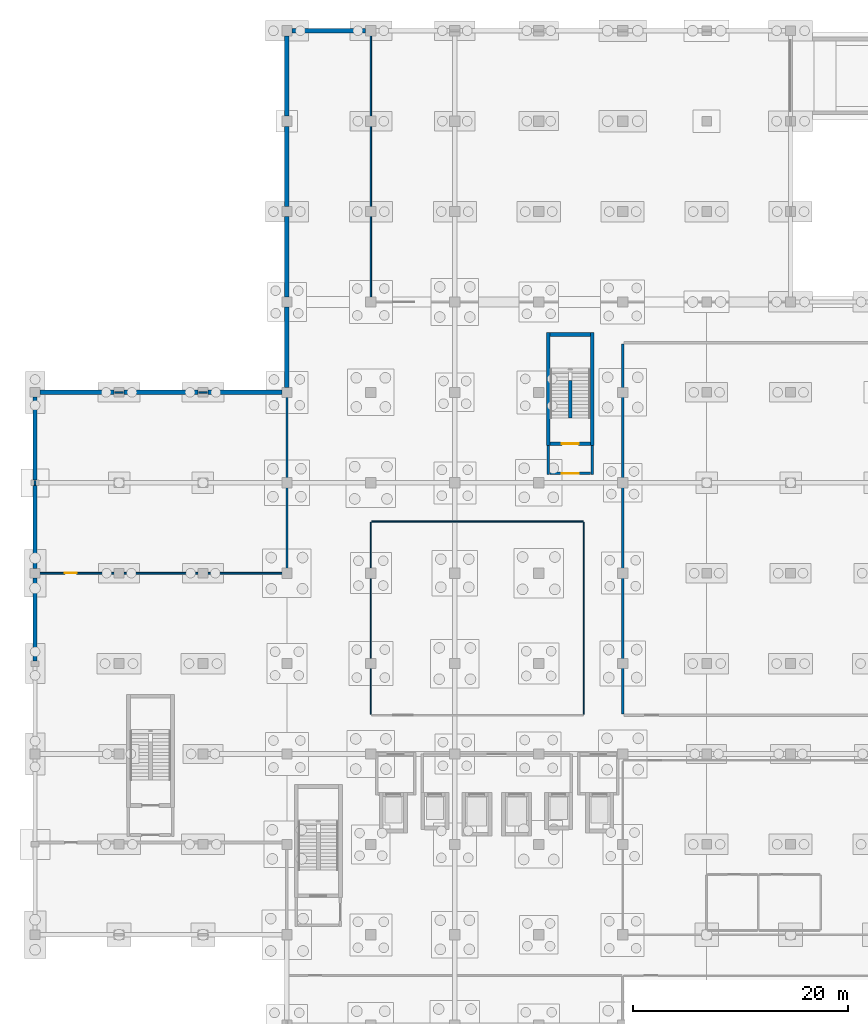
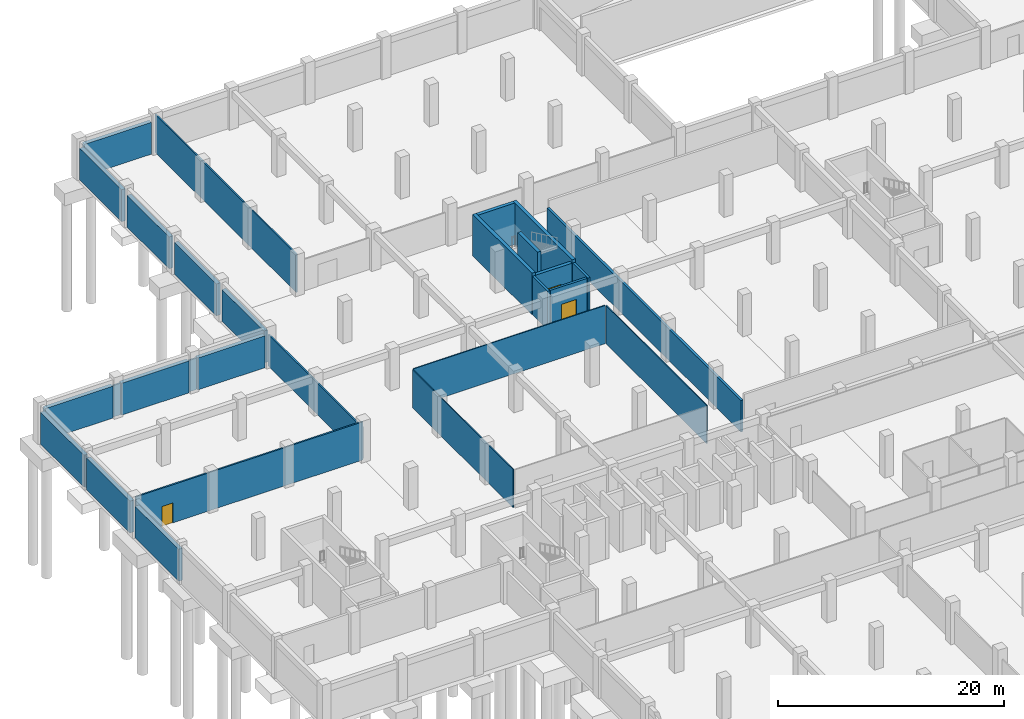
# One storey, part 18 of 30: 29 walls, 3 doors, 3 openings.
"""IFC4 building model written with IfcOpenShell, lengths in metres."""

from ifc_helpers import new_model, si_unit, direction, frame, frame_2d, origin, place, context, subcontext, project, spatial, rectangle, extrude, material, layer, layer_set, type_object, element, fill, save


model = new_model("IFC4")

# Units and contexts
model_context = context("Model", 3, precision=1e-05, world=origin(), true_north=direction((0.0, 1.0)))
body_context = subcontext(model_context, "Body", "Model", "MODEL_VIEW")
ifc_project = project(units=[si_unit("LENGTHUNIT", "METRE"), si_unit("AREAUNIT", "SQUARE_METRE"), si_unit("VOLUMEUNIT", "CUBIC_METRE"), si_unit("PLANEANGLEUNIT", "RADIAN"), si_unit("MASSUNIT", "GRAM", prefix="KILO"), si_unit("THERMODYNAMICTEMPERATUREUNIT", "KELVIN"), si_unit("POWERUNIT", "WATT")], contexts=[model_context])

# Site, building, storey
site_placement = place(None, origin())
site = spatial("IfcSite", under=ifc_project, at=site_placement, CompositionType="ELEMENT")
building_placement = place(site_placement, origin())
building = spatial("IfcBuilding", under=site, at=building_placement, Name="Srebrne Nadtorze General Hospital", CompositionType="ELEMENT")
storey_placement = place(building_placement, frame((0.0, 0.0, -4.5)))
storey = spatial("IfcBuildingStorey", under=building, at=storey_placement, Name="B1", CompositionType="ELEMENT", Elevation=-4.5)

# Walls
ifc_material_1 = material(Name="Concrete C35/45", Category="concrete")
ifc_layer_1 = layer(ifc_material_1, 0.39990234375)
ifc_layer_set_1 = layer_set([ifc_layer_1], Name="Concrete C35/45")
wall_type_1 = type_object("IfcWallType", Name="Basement retaining wall 400", PredefinedType="SOLIDWALL", material=ifc_layer_set_1)
wall_1_placement = place(storey_placement, frame((0.449951171875, 84.0, 0.0), z_axis=(0.0, 0.0, 1.0), x_axis=(1.0, 0.0, 0.0)))
element("IfcWall", 1, at=wall_1_placement, inside=storey, type_object=wall_type_1, Name="Exterior wall WL-ENV-B1-0026", PredefinedType="SOLIDWALL", context=body_context, shape_type="SweptSolid", body=[
    extrude(rectangle(XDim=6.900146484375, YDim=0.39990234375, at=frame_2d((3.4501953125, 0.0))), origin(), (0.0, 0.0, 1.0), 3.449951171875),
])
wall_2_placement = place(storey_placement, frame((8.25, 84.0, 0.0), z_axis=(0.0, 0.0, 1.0), x_axis=(1.0, 0.0, 0.0)))
element("IfcWall", 2, at=wall_2_placement, inside=storey, type_object=wall_type_1, Name="Exterior wall WL-ENV-B1-0027", PredefinedType="SOLIDWALL", context=body_context, shape_type="SweptSolid", body=[
    extrude(rectangle(XDim=6.89990234375, YDim=0.39990234375, at=frame_2d((3.449951171875, 0.0))), origin(), (0.0, 0.0, 1.0), 3.449951171875),
])
wall_3_placement = place(storey_placement, frame((16.050048828125, 84.0, 0.0), z_axis=(0.0, 0.0, 1.0), x_axis=(1.0, 0.0, 0.0)))
element("IfcWall", 3, at=wall_3_placement, inside=storey, type_object=wall_type_1, Name="Exterior wall WL-ENV-B1-0028", PredefinedType="SOLIDWALL", context=body_context, shape_type="SweptSolid", body=[
    extrude(rectangle(XDim=6.875, YDim=0.39990234375, at=frame_2d((3.4375, 0.0))), origin(), (0.0, 0.0, 1.0), 3.449951171875),
])
wall_4_placement = place(storey_placement, frame((23.875, 117.60009765625, 0.0), z_axis=(0.0, 0.0, 1.0), x_axis=(1.0, 0.0, 0.0)))
element("IfcWall", 4, at=wall_4_placement, inside=storey, type_object=wall_type_1, Name="Exterior wall WL-ENV-B1-0039", PredefinedType="SOLIDWALL", context=body_context, shape_type="SweptSolid", body=[
    extrude(rectangle(XDim=6.85009765625, YDim=0.39990234375, at=frame_2d((3.425048828125, 0.0))), origin(), (0.0, 0.0, 1.0), 3.449951171875),
])
wall_5_placement = place(storey_placement, frame((0.0, 59.050048828125, 0.0), z_axis=(0.0, 0.0, 1.0), x_axis=(0.0, 1.0, 0.0)))
element("IfcWall", 5, at=wall_5_placement, inside=storey, type_object=wall_type_1, Name="Exterior wall WL-ENV-B1-0048", PredefinedType="SOLIDWALL", context=body_context, shape_type="SweptSolid", body=[
    extrude(rectangle(XDim=7.699951171875, YDim=0.39990234375, at=frame_2d((3.85009765625, 0.0))), origin(), (0.0, 0.0, 1.0), 3.449951171875),
])
wall_6_placement = place(storey_placement, frame((0.0, 67.64990234375, 0.0), z_axis=(0.0, 0.0, 1.0), x_axis=(0.0, 1.0, 0.0)))
element("IfcWall", 6, at=wall_6_placement, inside=storey, type_object=wall_type_1, Name="Exterior wall WL-ENV-B1-0049", PredefinedType="SOLIDWALL", context=body_context, shape_type="SweptSolid", body=[
    extrude(rectangle(XDim=7.7001953125, YDim=0.39990234375, at=frame_2d((3.85009765625, 0.0))), origin(), (0.0, 0.0, 1.0), 3.449951171875),
])
wall_7_placement = place(storey_placement, frame((0.0, 75.85009765625, 0.0), z_axis=(0.0, 0.0, 1.0), x_axis=(0.0, 1.0, 0.0)))
element("IfcWall", 7, at=wall_7_placement, inside=storey, type_object=wall_type_1, Name="Exterior wall WL-ENV-B1-0050", PredefinedType="SOLIDWALL", context=body_context, shape_type="SweptSolid", body=[
    extrude(rectangle(XDim=7.699951171875, YDim=0.39990234375, at=frame_2d((3.85009765625, 0.0))), origin(), (0.0, 0.0, 1.0), 3.449951171875),
])
for number, where, z_axis, x_axis, name in (
    (8, (23.39990234375, 84.47509765625, 0.0), (0.0, 0.0, 1.0), (0.0, 1.0, 0.0), "Exterior wall WL-ENV-B1-0055"),
    (9, (23.39990234375, 92.875, 0.0), (0.0, 0.0, 1.0), (0.0, 1.0, 0.0), "Exterior wall WL-ENV-B1-0056"),
):
    element("IfcWall", number, at=place(storey_placement, frame(where, z_axis=z_axis, x_axis=x_axis)), inside=storey, type_object=wall_type_1, Name=name, PredefinedType="SOLIDWALL", context=body_context, shape_type="SweptSolid", body=[
        extrude(rectangle(XDim=7.449951171875, YDim=0.39990234375, at=frame_2d((3.72509765625, 0.0))), origin(), (0.0, 0.0, 1.0), 3.449951171875),
    ])
wall_8_placement = place(storey_placement, frame((23.39990234375, 101.27490234375, 0.0), z_axis=(0.0, 0.0, 1.0), x_axis=(0.0, 1.0, 0.0)))
element("IfcWall", 10, at=wall_8_placement, inside=storey, type_object=wall_type_1, Name="Exterior wall WL-ENV-B1-0057", PredefinedType="SOLIDWALL", context=body_context, shape_type="SweptSolid", body=[
    extrude(rectangle(XDim=7.4501953125, YDim=0.39990234375, at=frame_2d((3.72509765625, 0.0))), origin(), (0.0, 0.0, 1.0), 3.449951171875),
])
wall_9_placement = place(storey_placement, frame((23.39990234375, 109.675048828125, 0.0), z_axis=(0.0, 0.0, 1.0), x_axis=(0.0, 1.0, 0.0)))
element("IfcWall", 11, at=wall_9_placement, inside=storey, type_object=wall_type_1, Name="Exterior wall WL-ENV-B1-0058", PredefinedType="SOLIDWALL", context=body_context, shape_type="SweptSolid", body=[
    extrude(rectangle(XDim=7.449951171875, YDim=0.39990234375, at=frame_2d((3.72509765625, 0.0))), origin(), (0.0, 0.0, 1.0), 3.449951171875),
])
ifc_material_2 = material(Name="Gypsum Healthcare Partition")
ifc_layer_2 = layer(ifc_material_2, 0.139892578125)
ifc_layer_set_2 = layer_set([ifc_layer_2], Name="Gypsum Healthcare Partition")
wall_type_2 = type_object("IfcWallType", Name="Clinical partition 140", PredefinedType="PARTITIONING", material=ifc_layer_set_2)
wall_10_placement = place(storey_placement, frame((31.199951171875, 92.485107421875, 0.0), z_axis=(0.0, 0.0, 1.0), x_axis=(0.0, 1.0, 0.0)))
element("IfcWall", 12, at=wall_10_placement, inside=storey, type_object=wall_type_2, Name="Staff Underground Parking Garage wall WL-INT-B1-1201", PredefinedType="PARTITIONING", context=body_context, shape_type="SweptSolid", body=[
    extrude(rectangle(XDim=25.02978515625, YDim=0.139892578125, at=frame_2d((12.514892578125, 0.0))), origin(), (0.0, 0.0, 1.0), 4.1298828125),
])

# Wall, opening, door
ifc_material_3 = material(Name="Gypsum Healthcare Partition")
ifc_layer_3 = layer(ifc_material_3, 0.159912109375)
ifc_layer_set_3 = layer_set([ifc_layer_3], Name="Gypsum Healthcare Partition")
wall_type_3 = type_object("IfcWallType", Name="Clinical partition 160", PredefinedType="PARTITIONING", material=ifc_layer_set_3)
wall_11_placement = place(storey_placement, frame((0.0849609375, 67.199951171875, 0.0), z_axis=(0.0, 0.0, 1.0), x_axis=(1.0, 0.0, 0.0)))
wall_11 = element("IfcWall", 13, at=wall_11_placement, inside=storey, type_object=wall_type_3, Name="Medical Gas Bulk Cylinder Store wall WL-INT-B1-1221", PredefinedType="PARTITIONING", context=body_context, shape_type="SweptSolid", body=[
    extrude(rectangle(XDim=23.22998046875, YDim=0.159912109375, at=frame_2d((11.614990234375, 0.0))), origin(), (0.0, 0.0, 1.0), 4.1298828125),
])
opening_1_placement = place(wall_11_placement, frame((2.6943359375, 0.0, 0.0)))
opening_1 = element("IfcOpeningElement", 14, at=opening_1_placement, cuts=wall_11, Name="Opening D-B1-0171", PredefinedType="OPENING", context=body_context, shape_type="SweptSolid", body=[
    extrude(rectangle(XDim=1.080078125, YDim=2.14990234375, at=frame_2d((0.5400390625, 1.074951171875))), frame((0.0, 0.091796875, 0.0), z_axis=(0.0, -1.0, 0.0), x_axis=(1.0, 0.0, 0.0)), (0.0, 0.0, 1.0), 0.183837890625),
])
ifc_material_4 = material(Name="Anodised Aluminium", Category="aluminium")
door_type_1 = type_object("IfcDoorType", Name="Single leaf door 1080x2150", OperationType="NOTDEFINED", PredefinedType="DOOR", material=ifc_material_4)
door_1_placement = place(opening_1_placement, origin())
door_1 = element("IfcDoor", 15, at=door_1_placement, inside=storey, type_object=door_type_1, Name="Medical Gas Bulk Cylinder Store door D-B1-0171", OperationType="SINGLE_SWING_LEFT", OverallHeight=2.14990234375, OverallWidth=1.080078125, PredefinedType="DOOR", context=body_context, shape_type="SweptSolid", body=[
    extrude(rectangle(XDim=1.080078125, YDim=2.14990234375, at=frame_2d((0.5400390625, 1.074951171875))), frame((0.0, 0.02490234375, 0.0), z_axis=(0.0, -1.0, 0.0), x_axis=(1.0, 0.0, 0.0)), (0.0, 0.0, 1.0), 0.050048828125),
])
fill(opening_1, door_1)

# Walls
for number, where, z_axis, x_axis, name in (
    (16, (7.389892578125, 84.0, 0.0), (0.0, 0.0, 1.0), (1.0, 0.0, 0.0), "Medical Gas Bulk Cylinder Store wall WL-INT-B1-1222"),
    (17, (15.18994140625, 84.0, 0.0), (0.0, 0.0, 1.0), (1.0, 0.0, 0.0), "Medical Gas Bulk Cylinder Store wall WL-INT-B1-1223"),
):
    element("IfcWall", number, at=place(storey_placement, frame(where, z_axis=z_axis, x_axis=x_axis)), inside=storey, type_object=wall_type_3, Name=name, PredefinedType="PARTITIONING", context=body_context, shape_type="SweptSolid", body=[
        extrude(rectangle(XDim=0.820068359375, YDim=0.159912109375, at=frame_2d((0.41015625, 0.0))), origin(), (0.0, 0.0, 1.0), 3.39990234375),
    ])
wall_12_placement = place(storey_placement, frame((0.0, 75.389892578125, 0.0), z_axis=(0.0, 0.0, 1.0), x_axis=(0.0, 1.0, 0.0)))
element("IfcWall", 18, at=wall_12_placement, inside=storey, type_object=wall_type_3, Name="Medical Gas Bulk Cylinder Store wall WL-INT-B1-1224", PredefinedType="PARTITIONING", context=body_context, shape_type="SweptSolid", body=[
    extrude(rectangle(XDim=0.420166015625, YDim=0.159912109375, at=frame_2d((0.2099609375, 0.0))), origin(), (0.0, 0.0, 1.0), 3.39990234375),
])
wall_13_placement = place(storey_placement, frame((23.39990234375, 67.284912109375, 0.0), z_axis=(0.0, 0.0, 1.0), x_axis=(0.0, 1.0, 0.0)))
element("IfcWall", 19, at=wall_13_placement, inside=storey, type_object=wall_type_3, Name="Medical Gas Bulk Cylinder Store wall WL-INT-B1-1225", PredefinedType="PARTITIONING", context=body_context, shape_type="SweptSolid", body=[
    extrude(rectangle(XDim=16.630126953125, YDim=0.159912109375, at=frame_2d((8.31494140625, 0.0))), origin(), (0.0, 0.0, 1.0), 3.39990234375),
])
ifc_material_5 = material(Name="Gypsum Healthcare Partition")
ifc_layer_4 = layer(ifc_material_5, 0.239990234375)
ifc_layer_set_4 = layer_set([ifc_layer_4], Name="Gypsum Healthcare Partition")
wall_type_4 = type_object("IfcWallType", Name="Corridor fire wall 240", PredefinedType="STANDARD", material=ifc_layer_set_4)
for number, where, z_axis, x_axis, name in (
    (20, (47.675048828125, 76.35498046875, 0.0), (0.0, 0.0, 1.0), (0.0, 1.0, 0.0), "Fire lobby wall ST-02 WL-INT-B1-0013"),
    (21, (51.77490234375, 76.35498046875, 0.0), (0.0, 0.0, 1.0), (0.0, 1.0, 0.0), "Fire lobby wall ST-02 WL-INT-B1-0014"),
):
    element("IfcWall", number, at=place(storey_placement, frame(where, z_axis=z_axis, x_axis=x_axis)), inside=storey, type_object=wall_type_4, Name=name, PredefinedType="STANDARD", context=body_context, shape_type="SweptSolid", body=[
        extrude(rectangle(XDim=2.695068359375, YDim=0.239990234375, at=frame_2d((1.34765625, 0.0))), origin(), (0.0, 0.0, 1.0), 4.14990234375),
    ])

# Wall, opening, door
wall_14_placement = place(storey_placement, frame((47.85009765625, 76.47509765625, 0.0), z_axis=(0.0, 0.0, 1.0), x_axis=(1.0, 0.0, 0.0)))
wall_14 = element("IfcWall", 22, at=wall_14_placement, inside=storey, type_object=wall_type_4, Name="Fire lobby entry wall ST-02 WL-INT-B1-0015", PredefinedType="STANDARD", context=body_context, shape_type="SweptSolid", body=[
    extrude(rectangle(XDim=3.75, YDim=0.239990234375, at=frame_2d((1.875, 0.0))), origin(), (0.0, 0.0, 1.0), 4.14990234375),
])
opening_2_placement = place(wall_14_placement, frame((1.10009765625, 0.0, 0.0)))
opening_2 = element("IfcOpeningElement", 23, at=opening_2_placement, cuts=wall_14, Name="Opening D-B1-0004", PredefinedType="OPENING", context=body_context, shape_type="SweptSolid", body=[
    extrude(rectangle(XDim=1.550048828125, YDim=2.25, at=frame_2d((0.77490234375, 1.125))), frame((0.0, 0.1318359375, 0.0), z_axis=(0.0, -1.0, 0.0), x_axis=(1.0, 0.0, 0.0)), (0.0, 0.0, 1.0), 0.263916015625),
])
ifc_material_6 = material(Name="Anodised Aluminium", Category="aluminium")
door_type_2 = type_object("IfcDoorType", Name="Double leaf door 1550x2250", OperationType="DOUBLE_DOOR_SINGLE_SWING", PredefinedType="DOOR", material=ifc_material_6)
door_2_placement = place(opening_2_placement, origin())
door_2 = element("IfcDoor", 24, at=door_2_placement, inside=storey, type_object=door_type_2, Name="Fire lobby door ST-02 D-B1-0004", OperationType="DOUBLE_DOOR_SINGLE_SWING", OverallHeight=2.25, OverallWidth=1.550048828125, PredefinedType="DOOR", context=body_context, shape_type="SweptSolid", body=[
    extrude(rectangle(XDim=1.550048828125, YDim=2.25, at=frame_2d((0.77490234375, 1.125))), frame((0.0, 0.02490234375, 0.0), z_axis=(0.0, -1.0, 0.0), x_axis=(1.0, 0.0, 0.0)), (0.0, 0.0, 1.0), 0.050048828125),
])
fill(opening_2, door_2)

# Walls
wall_15_placement = place(storey_placement, frame((54.60009765625, 54.110107421875, 0.0), z_axis=(0.0, 0.0, 1.0), x_axis=(0.0, 1.0, 0.0)))
element("IfcWall", 25, at=wall_15_placement, inside=storey, type_object=wall_type_4, Name="Central Sterile Supply Department wall WL-INT-B1-1206", PredefinedType="STANDARD", context=body_context, shape_type="SweptSolid", body=[
    extrude(rectangle(XDim=34.3798828125, YDim=0.239990234375, at=frame_2d((17.18994140625, 0.0))), origin(), (0.0, 0.0, 1.0), 3.39990234375),
])
ifc_material_7 = material(Name="Gypsum Healthcare Partition")
ifc_layer_5 = layer(ifc_material_7, 0.10009765625)
ifc_layer_set_5 = layer_set([ifc_layer_5], Name="Gypsum Healthcare Partition")
wall_type_5 = type_object("IfcWallType", Name="Shaft lining wall 100", PredefinedType="PARTITIONING", material=ifc_layer_set_5)
wall_16_placement = place(storey_placement, frame((31.284912109375, 72.0, 0.0), z_axis=(0.0, 0.0, 1.0), x_axis=(1.0, 0.0, 0.0)))
element("IfcWall", 26, at=wall_16_placement, inside=storey, type_object=wall_type_5, Name="Staff Locker and Changing Suite wall WL-INT-B1-1262", PredefinedType="PARTITIONING", context=body_context, shape_type="SweptSolid", body=[
    extrude(rectangle(XDim=19.630126953125, YDim=0.10009765625, at=frame_2d((9.81494140625, 0.0))), origin(), (0.0, 0.0, 1.0), 4.1298828125),
])
for number, where, z_axis, x_axis, name in (
    (27, (31.199951171875, 54.0849609375, 0.0), (0.0, 0.0, 1.0), (0.0, 1.0, 0.0), "Staff Locker and Changing Suite wall WL-INT-B1-1263"),
    (28, (51.0, 54.0849609375, 0.0), (0.0, 0.0, 1.0), (0.0, 1.0, 0.0), "Staff Locker and Changing Suite wall WL-INT-B1-1264"),
):
    element("IfcWall", number, at=place(storey_placement, frame(where, z_axis=z_axis, x_axis=x_axis)), inside=storey, type_object=wall_type_5, Name=name, PredefinedType="PARTITIONING", context=body_context, shape_type="SweptSolid", body=[
        extrude(rectangle(XDim=17.830078125, YDim=0.10009765625, at=frame_2d((8.9150390625, 0.0))), origin(), (0.0, 0.0, 1.0), 4.1298828125),
    ])
ifc_material_8 = material(Name="Concrete C40/50", Category="concrete")
ifc_layer_6 = layer(ifc_material_8, 0.35009765625)
ifc_layer_set_6 = layer_set([ifc_layer_6], Name="Concrete C40/50")
wall_type_6 = type_object("IfcWallType", Name="Shear core wall 350", PredefinedType="SHEAR", material=ifc_layer_set_6)
for number, where, z_axis, x_axis, name in (
    (29, (47.675048828125, 79.050048828125, 0.0), (0.0, 0.0, 1.0), (0.0, 1.0, 0.0), "Stair core wall ST-02 WL-INT-B1-0009"),
    (30, (51.77490234375, 79.050048828125, 0.0), (0.0, 0.0, 1.0), (0.0, 1.0, 0.0), "Stair core wall ST-02 WL-INT-B1-0010"),
):
    element("IfcWall", number, at=place(storey_placement, frame(where, z_axis=z_axis, x_axis=x_axis)), inside=storey, type_object=wall_type_6, Name=name, PredefinedType="SHEAR", context=body_context, shape_type="SweptSolid", body=[
        extrude(rectangle(XDim=10.5, YDim=0.35009765625, at=frame_2d((5.25, 0.0))), origin(), (0.0, 0.0, 1.0), 4.5),
    ])
wall_17_placement = place(storey_placement, frame((47.85009765625, 89.375, 0.0), z_axis=(0.0, 0.0, 1.0), x_axis=(1.0, 0.0, 0.0)))
element("IfcWall", 31, at=wall_17_placement, inside=storey, type_object=wall_type_6, Name="Stair core wall ST-02 WL-INT-B1-0011", PredefinedType="SHEAR", context=body_context, shape_type="SweptSolid", body=[
    extrude(rectangle(XDim=3.75, YDim=0.35009765625, at=frame_2d((1.875, 0.0))), origin(), (0.0, 0.0, 1.0), 4.5),
])

# Wall, opening, door
wall_18_placement = place(storey_placement, frame((47.85009765625, 79.22509765625, 0.0), z_axis=(0.0, 0.0, 1.0), x_axis=(1.0, 0.0, 0.0)))
wall_18 = element("IfcWall", 32, at=wall_18_placement, inside=storey, type_object=wall_type_6, Name="Stairwell fire wall ST-02 WL-INT-B1-0012", PredefinedType="SHEAR", context=body_context, shape_type="SweptSolid", body=[
    extrude(rectangle(XDim=3.75, YDim=0.35009765625, at=frame_2d((1.875, 0.0))), origin(), (0.0, 0.0, 1.0), 4.14990234375),
])
opening_3_placement = place(wall_18_placement, frame((1.10009765625, 0.0, 0.0)))
opening_3 = element("IfcOpeningElement", 33, at=opening_3_placement, cuts=wall_18, Name="Opening D-B1-0003", PredefinedType="OPENING", context=body_context, shape_type="SweptSolid", body=[
    extrude(rectangle(XDim=1.550048828125, YDim=2.25, at=frame_2d((0.77490234375, 1.125))), frame((0.0, 0.18701171875, 0.0), z_axis=(0.0, -1.0, 0.0), x_axis=(1.0, 0.0, 0.0)), (0.0, 0.0, 1.0), 0.3740234375),
])
door_3_placement = place(opening_3_placement, origin())
door_3 = element("IfcDoor", 34, at=door_3_placement, inside=storey, type_object=door_type_2, Name="Protected stair door ST-02 D-B1-0003", OperationType="DOUBLE_DOOR_SINGLE_SWING", OverallHeight=2.25, OverallWidth=1.550048828125, PredefinedType="DOOR", context=body_context, shape_type="SweptSolid", body=[
    extrude(rectangle(XDim=1.550048828125, YDim=2.25, at=frame_2d((0.77490234375, 1.125))), frame((0.0, 0.02490234375, 0.0), z_axis=(0.0, -1.0, 0.0), x_axis=(1.0, 0.0, 0.0)), (0.0, 0.0, 1.0), 0.050048828125),
])
fill(opening_3, door_3)

# Wall
wall_19_placement = place(storey_placement, frame((49.72509765625, 81.60009765625, 0.0), z_axis=(0.0, 0.0, 1.0), x_axis=(0.0, 1.0, 0.0)))
element("IfcWall", 35, at=wall_19_placement, inside=storey, type_object=wall_type_6, Name="Stair spine wall ST-02 WL-INT-B1-0016", PredefinedType="SHEAR", context=body_context, shape_type="SweptSolid", body=[
    extrude(rectangle(XDim=3.52001953125, YDim=0.35009765625, at=frame_2d((1.760009765625, 0.0))), origin(), (0.0, 0.0, 1.0), 4.5),
])

save(model, "model.ifc")
